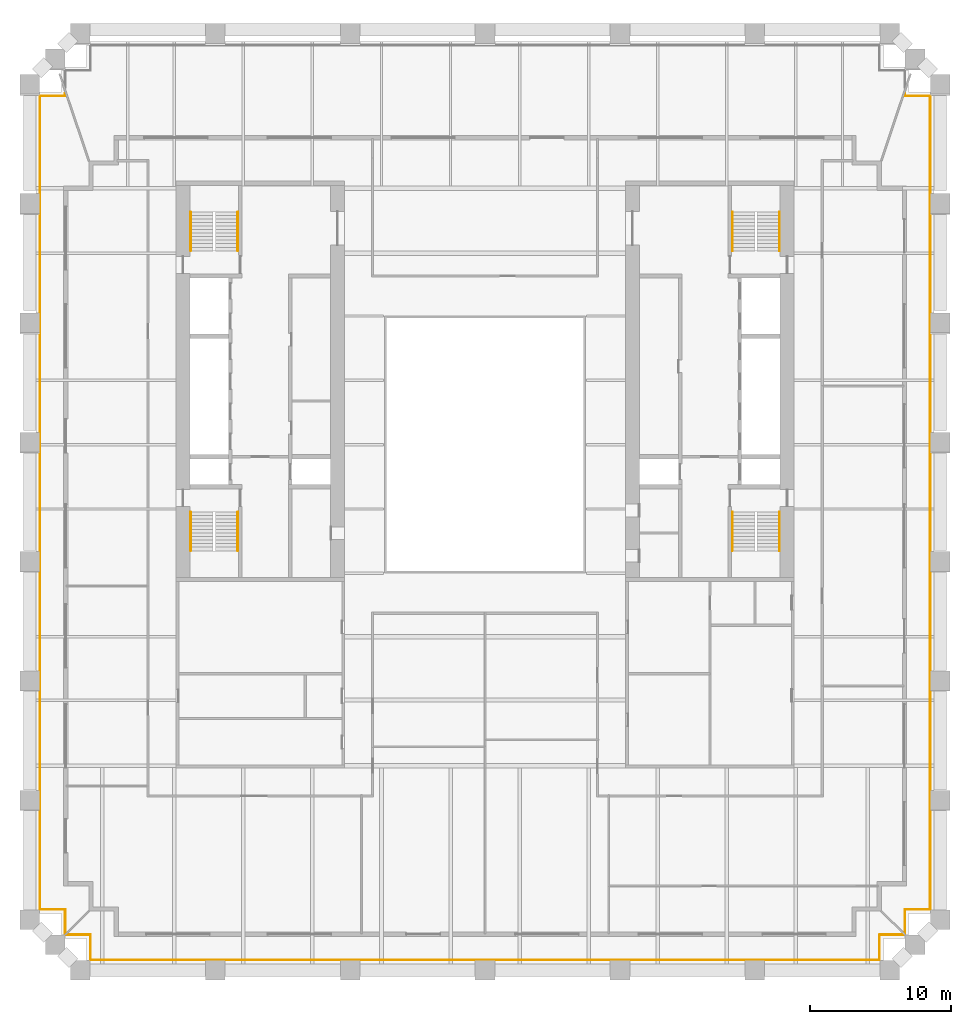
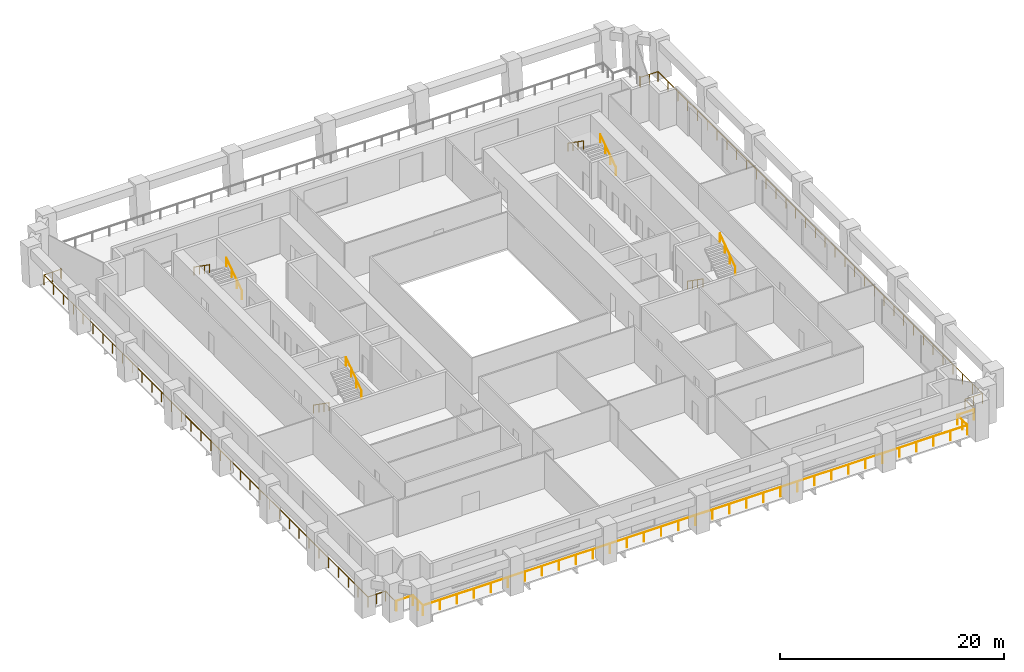
# One storey, part 8 of 9: 11 railings.
"""IFC4 building model written with IfcOpenShell, lengths in metres."""

from ifc_helpers import new_model, si_unit, direction, frame, origin, origin_2d, place, context, subcontext, project, spatial, circle, extrude, material, type_object, element, save


model = new_model("IFC4")

# Units and contexts
model_context = context("Model", 3, precision=1e-05, world=origin(), true_north=direction((0.0, 1.0)))
body_context = subcontext(model_context, "Body", "Model", "MODEL_VIEW")
ifc_project = project(units=[si_unit("LENGTHUNIT", "METRE"), si_unit("AREAUNIT", "SQUARE_METRE"), si_unit("VOLUMEUNIT", "CUBIC_METRE"), si_unit("PLANEANGLEUNIT", "RADIAN"), si_unit("MASSUNIT", "GRAM", prefix="KILO")], contexts=[model_context])

# Site, building, storey
site_placement = place(None, origin())
site = spatial("IfcSite", under=ifc_project, at=site_placement, CompositionType="ELEMENT")
building_placement = place(site_placement, origin())
building = spatial("IfcBuilding", under=site, at=building_placement, Name="Ogive Exchange Tower", CompositionType="ELEMENT")
storey_placement = place(building_placement, frame((0.0, 0.0, 85.800048828125)))
storey = spatial("IfcBuildingStorey", under=building, at=storey_placement, Name="L18", CompositionType="ELEMENT", Elevation=85.800048828125)

# Railings
ifc_material_1 = material(Name="Stainless steel 316", Category="steel")
railing_type_1 = type_object("IfcRailingType", Name="Guard 1100 stainless steel and glass", PredefinedType="GUARDRAIL", material=ifc_material_1)
railing_1_placement = place(storey_placement, frame((29.7880859375, -27.8798828125, -0.050048828125)))
element("IfcRailing", 1, at=railing_1_placement, inside=storey, type_object=railing_type_1, Name="Loggia guard 1", PredefinedType="GUARDRAIL", context=body_context, shape_type="SweptSolid", body=[
    extrude(circle(Radius=0.02392578125, at=origin_2d()), frame((0.0, 0.0, 1.076171875), z_axis=(-1.0, 0.0, 0.0), x_axis=(0.0, -1.0, 0.0)), (0.0, 0.0, 1.0), 1.7080078125),
    extrude(circle(Radius=0.02392578125, at=origin_2d()), frame((-1.7080078125, 0.0, 1.076171875), z_axis=(0.0, -1.0, 0.0), x_axis=(1.0, 0.0, 0.0)), (0.0, 0.0, 1.0), 1.800048828125),
    extrude(circle(Radius=0.02392578125, at=origin_2d()), frame((-1.7080078125, -1.800048828125, 1.076171875), z_axis=(-1.0, 0.0, 0.0), x_axis=(0.0, -1.0, 0.0)), (0.0, 0.0, 1.0), 56.16015625),
    extrude(circle(Radius=0.02392578125, at=origin_2d()), frame((-57.8681640625, -1.800048828125, 1.076171875), z_axis=(0.0, 1.0, 0.0), x_axis=(-1.0, 0.0, 0.0)), (0.0, 0.0, 1.0), 1.800048828125),
    extrude(circle(Radius=0.02392578125, at=origin_2d()), frame((-57.8681640625, 0.0, 1.076171875), z_axis=(-1.0, 0.0, 0.0), x_axis=(0.0, -1.0, 0.0)), (0.0, 0.0, 1.0), 1.7080078125),
    extrude(circle(Radius=0.02099609375, at=origin_2d()), origin(), (0.0, 0.0, 1.0), 1.052001953125),
    extrude(circle(Radius=0.02099609375, at=origin_2d()), frame((-1.7080078125, 0.0, 0.0)), (0.0, 0.0, 1.0), 1.052001953125),
    extrude(circle(Radius=0.02099609375, at=origin_2d()), frame((-1.7080078125, -0.89990234375, 0.0)), (0.0, 0.0, 1.0), 1.052001953125),
    extrude(circle(Radius=0.02099609375, at=origin_2d()), frame((-1.7080078125, -1.800048828125, 0.0)), (0.0, 0.0, 1.0), 1.052001953125),
    extrude(circle(Radius=0.02099609375, at=origin_2d()), frame((-3.462890625, -1.800048828125, 0.0)), (0.0, 0.0, 1.0), 1.052001953125),
    extrude(circle(Radius=0.02099609375, at=origin_2d()), frame((-5.218017578125, -1.800048828125, 0.0)), (0.0, 0.0, 1.0), 1.052001953125),
    extrude(circle(Radius=0.02099609375, at=origin_2d()), frame((-6.97314453125, -1.800048828125, 0.0)), (0.0, 0.0, 1.0), 1.052001953125),
    extrude(circle(Radius=0.02099609375, at=origin_2d()), frame((-8.72802734375, -1.800048828125, 0.0)), (0.0, 0.0, 1.0), 1.052001953125),
    extrude(circle(Radius=0.02099609375, at=origin_2d()), frame((-10.48291015625, -1.800048828125, 0.0)), (0.0, 0.0, 1.0), 1.052001953125),
    extrude(circle(Radius=0.02099609375, at=origin_2d()), frame((-12.238037109375, -1.800048828125, 0.0)), (0.0, 0.0, 1.0), 1.052001953125),
    extrude(circle(Radius=0.02099609375, at=origin_2d()), frame((-13.9931640625, -1.800048828125, 0.0)), (0.0, 0.0, 1.0), 1.052001953125),
    extrude(circle(Radius=0.02099609375, at=origin_2d()), frame((-15.748046875, -1.800048828125, 0.0)), (0.0, 0.0, 1.0), 1.052001953125),
    extrude(circle(Radius=0.02099609375, at=origin_2d()), frame((-17.5029296875, -1.800048828125, 0.0)), (0.0, 0.0, 1.0), 1.052001953125),
    extrude(circle(Radius=0.02099609375, at=origin_2d()), frame((-19.258056640625, -1.800048828125, 0.0)), (0.0, 0.0, 1.0), 1.052001953125),
    extrude(circle(Radius=0.02099609375, at=origin_2d()), frame((-21.01318359375, -1.800048828125, 0.0)), (0.0, 0.0, 1.0), 1.052001953125),
    extrude(circle(Radius=0.02099609375, at=origin_2d()), frame((-22.76806640625, -1.800048828125, 0.0)), (0.0, 0.0, 1.0), 1.052001953125),
    extrude(circle(Radius=0.02099609375, at=origin_2d()), frame((-24.52294921875, -1.800048828125, 0.0)), (0.0, 0.0, 1.0), 1.052001953125),
    extrude(circle(Radius=0.02099609375, at=origin_2d()), frame((-26.278076171875, -1.800048828125, 0.0)), (0.0, 0.0, 1.0), 1.052001953125),
    extrude(circle(Radius=0.02099609375, at=origin_2d()), frame((-28.033203125, -1.800048828125, 0.0)), (0.0, 0.0, 1.0), 1.052001953125),
    extrude(circle(Radius=0.02099609375, at=origin_2d()), frame((-29.7880859375, -1.800048828125, 0.0)), (0.0, 0.0, 1.0), 1.052001953125),
    extrude(circle(Radius=0.02099609375, at=origin_2d()), frame((-31.54296875, -1.800048828125, 0.0)), (0.0, 0.0, 1.0), 1.052001953125),
    extrude(circle(Radius=0.02099609375, at=origin_2d()), frame((-33.298095703125, -1.800048828125, 0.0)), (0.0, 0.0, 1.0), 1.052001953125),
    extrude(circle(Radius=0.02099609375, at=origin_2d()), frame((-35.05322265625, -1.800048828125, 0.0)), (0.0, 0.0, 1.0), 1.052001953125),
    extrude(circle(Radius=0.02099609375, at=origin_2d()), frame((-36.80810546875, -1.800048828125, 0.0)), (0.0, 0.0, 1.0), 1.052001953125),
    extrude(circle(Radius=0.02099609375, at=origin_2d()), frame((-38.56298828125, -1.800048828125, 0.0)), (0.0, 0.0, 1.0), 1.052001953125),
    extrude(circle(Radius=0.02099609375, at=origin_2d()), frame((-40.318115234375, -1.800048828125, 0.0)), (0.0, 0.0, 1.0), 1.052001953125),
    extrude(circle(Radius=0.02099609375, at=origin_2d()), frame((-42.0732421875, -1.800048828125, 0.0)), (0.0, 0.0, 1.0), 1.052001953125),
    extrude(circle(Radius=0.02099609375, at=origin_2d()), frame((-43.828125, -1.800048828125, 0.0)), (0.0, 0.0, 1.0), 1.052001953125),
    extrude(circle(Radius=0.02099609375, at=origin_2d()), frame((-45.5830078125, -1.800048828125, 0.0)), (0.0, 0.0, 1.0), 1.052001953125),
    extrude(circle(Radius=0.02099609375, at=origin_2d()), frame((-47.338134765625, -1.800048828125, 0.0)), (0.0, 0.0, 1.0), 1.052001953125),
    extrude(circle(Radius=0.02099609375, at=origin_2d()), frame((-49.09326171875, -1.800048828125, 0.0)), (0.0, 0.0, 1.0), 1.052001953125),
    extrude(circle(Radius=0.02099609375, at=origin_2d()), frame((-50.84814453125, -1.800048828125, 0.0)), (0.0, 0.0, 1.0), 1.052001953125),
    extrude(circle(Radius=0.02099609375, at=origin_2d()), frame((-52.60302734375, -1.800048828125, 0.0)), (0.0, 0.0, 1.0), 1.052001953125),
    extrude(circle(Radius=0.02099609375, at=origin_2d()), frame((-54.358154296875, -1.800048828125, 0.0)), (0.0, 0.0, 1.0), 1.052001953125),
    extrude(circle(Radius=0.02099609375, at=origin_2d()), frame((-56.11328125, -1.800048828125, 0.0)), (0.0, 0.0, 1.0), 1.052001953125),
    extrude(circle(Radius=0.02099609375, at=origin_2d()), frame((-57.8681640625, -1.800048828125, 0.0)), (0.0, 0.0, 1.0), 1.052001953125),
    extrude(circle(Radius=0.02099609375, at=origin_2d()), frame((-57.8681640625, -0.89990234375, 0.0)), (0.0, 0.0, 1.0), 1.052001953125),
    extrude(circle(Radius=0.02099609375, at=origin_2d()), frame((-57.8681640625, 0.0, 0.0)), (0.0, 0.0, 1.0), 1.052001953125),
    extrude(circle(Radius=0.02099609375, at=origin_2d()), frame((-59.576171875, 0.0, 0.0)), (0.0, 0.0, 1.0), 1.052001953125),
])
railing_2_placement = place(storey_placement, frame((-29.8798828125, -27.7880859375, -0.050048828125)))
element("IfcRailing", 2, at=railing_2_placement, inside=storey, type_object=railing_type_1, Name="Loggia guard 2", PredefinedType="GUARDRAIL", context=body_context, shape_type="SweptSolid", body=[
    extrude(circle(Radius=0.02392578125, at=origin_2d()), frame((0.0, 0.0, 1.076171875), z_axis=(0.0, 1.0, 0.0), x_axis=(-1.0, 0.0, 0.0)), (0.0, 0.0, 1.0), 1.7080078125),
    extrude(circle(Radius=0.02392578125, at=origin_2d()), frame((0.0, 1.7080078125, 1.076171875), z_axis=(-1.0, 0.0, 0.0), x_axis=(0.0, -1.0, 0.0)), (0.0, 0.0, 1.0), 1.800048828125),
    extrude(circle(Radius=0.02392578125, at=origin_2d()), frame((-1.800048828125, 1.7080078125, 1.076171875), z_axis=(0.0, 1.0, 0.0), x_axis=(-1.0, 0.0, 0.0)), (0.0, 0.0, 1.0), 57.905517578125),
    extrude(circle(Radius=0.02392578125, at=origin_2d()), frame((-1.800048828125, 59.613525390625, 1.076171875), z_axis=(1.0, 0.0, 0.0), x_axis=(0.0, 1.0, 0.0)), (0.0, 0.0, 1.0), 1.800048828125),
    extrude(circle(Radius=0.02392578125, at=origin_2d()), frame((0.0, 59.613525390625, 1.076171875), z_axis=(0.0, 1.0, 0.0), x_axis=(-1.0, 0.0, 0.0)), (0.0, 0.0, 1.0), 0.17236328125),
    extrude(circle(Radius=0.02099609375, at=origin_2d()), origin(), (0.0, 0.0, 1.0), 1.052001953125),
    extrude(circle(Radius=0.02099609375, at=origin_2d()), frame((0.0, 1.7080078125, 0.0)), (0.0, 0.0, 1.0), 1.052001953125),
    extrude(circle(Radius=0.02099609375, at=origin_2d()), frame((-0.89990234375, 1.7080078125, 0.0)), (0.0, 0.0, 1.0), 1.052001953125),
    extrude(circle(Radius=0.02099609375, at=origin_2d()), frame((-1.800048828125, 1.7080078125, 0.0)), (0.0, 0.0, 1.0), 1.052001953125),
    extrude(circle(Radius=0.02099609375, at=origin_2d()), frame((-1.800048828125, 3.462646484375, 0.0)), (0.0, 0.0, 1.0), 1.052001953125),
    extrude(circle(Radius=0.02099609375, at=origin_2d()), frame((-1.800048828125, 5.217529296875, 0.0)), (0.0, 0.0, 1.0), 1.052001953125),
    extrude(circle(Radius=0.02099609375, at=origin_2d()), frame((-1.800048828125, 6.97216796875, 0.0)), (0.0, 0.0, 1.0), 1.052001953125),
    extrude(circle(Radius=0.02099609375, at=origin_2d()), frame((-1.800048828125, 8.726806640625, 0.0)), (0.0, 0.0, 1.0), 1.052001953125),
    extrude(circle(Radius=0.02099609375, at=origin_2d()), frame((-1.800048828125, 10.481689453125, 0.0)), (0.0, 0.0, 1.0), 1.052001953125),
    extrude(circle(Radius=0.02099609375, at=origin_2d()), frame((-1.800048828125, 12.236328125, 0.0)), (0.0, 0.0, 1.0), 1.052001953125),
    extrude(circle(Radius=0.02099609375, at=origin_2d()), frame((-1.800048828125, 13.990966796875, 0.0)), (0.0, 0.0, 1.0), 1.052001953125),
    extrude(circle(Radius=0.02099609375, at=origin_2d()), frame((-1.800048828125, 15.74560546875, 0.0)), (0.0, 0.0, 1.0), 1.052001953125),
    extrude(circle(Radius=0.02099609375, at=origin_2d()), frame((-1.800048828125, 17.50048828125, 0.0)), (0.0, 0.0, 1.0), 1.052001953125),
    extrude(circle(Radius=0.02099609375, at=origin_2d()), frame((-1.800048828125, 19.255126953125, 0.0)), (0.0, 0.0, 1.0), 1.052001953125),
    extrude(circle(Radius=0.02099609375, at=origin_2d()), frame((-1.800048828125, 21.009765625, 0.0)), (0.0, 0.0, 1.0), 1.052001953125),
    extrude(circle(Radius=0.02099609375, at=origin_2d()), frame((-1.800048828125, 22.7646484375, 0.0)), (0.0, 0.0, 1.0), 1.052001953125),
    extrude(circle(Radius=0.02099609375, at=origin_2d()), frame((-1.800048828125, 24.519287109375, 0.0)), (0.0, 0.0, 1.0), 1.052001953125),
    extrude(circle(Radius=0.02099609375, at=origin_2d()), frame((-1.800048828125, 26.27392578125, 0.0)), (0.0, 0.0, 1.0), 1.052001953125),
    extrude(circle(Radius=0.02099609375, at=origin_2d()), frame((-1.800048828125, 28.02880859375, 0.0)), (0.0, 0.0, 1.0), 1.052001953125),
    extrude(circle(Radius=0.02099609375, at=origin_2d()), frame((-1.800048828125, 29.783447265625, 0.0)), (0.0, 0.0, 1.0), 1.052001953125),
    extrude(circle(Radius=0.02099609375, at=origin_2d()), frame((-1.800048828125, 31.5380859375, 0.0)), (0.0, 0.0, 1.0), 1.052001953125),
    extrude(circle(Radius=0.02099609375, at=origin_2d()), frame((-1.800048828125, 33.292724609375, 0.0)), (0.0, 0.0, 1.0), 1.052001953125),
    extrude(circle(Radius=0.02099609375, at=origin_2d()), frame((-1.800048828125, 35.047607421875, 0.0)), (0.0, 0.0, 1.0), 1.052001953125),
    extrude(circle(Radius=0.02099609375, at=origin_2d()), frame((-1.800048828125, 36.80224609375, 0.0)), (0.0, 0.0, 1.0), 1.052001953125),
    extrude(circle(Radius=0.02099609375, at=origin_2d()), frame((-1.800048828125, 38.556884765625, 0.0)), (0.0, 0.0, 1.0), 1.052001953125),
    extrude(circle(Radius=0.02099609375, at=origin_2d()), frame((-1.800048828125, 40.311767578125, 0.0)), (0.0, 0.0, 1.0), 1.052001953125),
    extrude(circle(Radius=0.02099609375, at=origin_2d()), frame((-1.800048828125, 42.06640625, 0.0)), (0.0, 0.0, 1.0), 1.052001953125),
    extrude(circle(Radius=0.02099609375, at=origin_2d()), frame((-1.800048828125, 43.821044921875, 0.0)), (0.0, 0.0, 1.0), 1.052001953125),
    extrude(circle(Radius=0.02099609375, at=origin_2d()), frame((-1.800048828125, 45.575927734375, 0.0)), (0.0, 0.0, 1.0), 1.052001953125),
    extrude(circle(Radius=0.02099609375, at=origin_2d()), frame((-1.800048828125, 47.33056640625, 0.0)), (0.0, 0.0, 1.0), 1.052001953125),
    extrude(circle(Radius=0.02099609375, at=origin_2d()), frame((-1.800048828125, 49.085205078125, 0.0)), (0.0, 0.0, 1.0), 1.052001953125),
    extrude(circle(Radius=0.02099609375, at=origin_2d()), frame((-1.800048828125, 50.83984375, 0.0)), (0.0, 0.0, 1.0), 1.052001953125),
    extrude(circle(Radius=0.02099609375, at=origin_2d()), frame((-1.800048828125, 52.5947265625, 0.0)), (0.0, 0.0, 1.0), 1.052001953125),
    extrude(circle(Radius=0.02099609375, at=origin_2d()), frame((-1.800048828125, 54.349365234375, 0.0)), (0.0, 0.0, 1.0), 1.052001953125),
    extrude(circle(Radius=0.02099609375, at=origin_2d()), frame((-1.800048828125, 56.10400390625, 0.0)), (0.0, 0.0, 1.0), 1.052001953125),
    extrude(circle(Radius=0.02099609375, at=origin_2d()), frame((-1.800048828125, 57.85888671875, 0.0)), (0.0, 0.0, 1.0), 1.052001953125),
    extrude(circle(Radius=0.02099609375, at=origin_2d()), frame((-1.800048828125, 59.613525390625, 0.0)), (0.0, 0.0, 1.0), 1.052001953125),
    extrude(circle(Radius=0.02099609375, at=origin_2d()), frame((-0.89990234375, 59.613525390625, 0.0)), (0.0, 0.0, 1.0), 1.052001953125),
    extrude(circle(Radius=0.02099609375, at=origin_2d()), frame((0.0, 59.613525390625, 0.0)), (0.0, 0.0, 1.0), 1.052001953125),
    extrude(circle(Radius=0.02099609375, at=origin_2d()), frame((0.0, 59.785888671875, 0.0)), (0.0, 0.0, 1.0), 1.052001953125),
])
railing_3_placement = place(storey_placement, frame((29.8798828125, 31.997802734375, -0.050048828125)))
element("IfcRailing", 3, at=railing_3_placement, inside=storey, type_object=railing_type_1, Name="Loggia guard 4", PredefinedType="GUARDRAIL", context=body_context, shape_type="SweptSolid", body=[
    extrude(circle(Radius=0.02392578125, at=origin_2d()), frame((0.0, 0.0, 1.076171875), z_axis=(0.0, -1.0, 0.0), x_axis=(1.0, 0.0, 0.0)), (0.0, 0.0, 1.0), 0.17236328125),
    extrude(circle(Radius=0.02392578125, at=origin_2d()), frame((0.0, -0.17236328125, 1.076171875), z_axis=(1.0, 0.0, 0.0), x_axis=(0.0, 1.0, 0.0)), (0.0, 0.0, 1.0), 1.800048828125),
    extrude(circle(Radius=0.02392578125, at=origin_2d()), frame((1.800048828125, -0.17236328125, 1.076171875), z_axis=(0.0, -1.0, 0.0), x_axis=(1.0, 0.0, 0.0)), (0.0, 0.0, 1.0), 57.905517578125),
    extrude(circle(Radius=0.02392578125, at=origin_2d()), frame((1.800048828125, -58.077880859375, 1.076171875), z_axis=(-1.0, 0.0, 0.0), x_axis=(0.0, -1.0, 0.0)), (0.0, 0.0, 1.0), 1.800048828125),
    extrude(circle(Radius=0.02392578125, at=origin_2d()), frame((0.0, -58.077880859375, 1.076171875), z_axis=(0.0, -1.0, 0.0), x_axis=(1.0, 0.0, 0.0)), (0.0, 0.0, 1.0), 1.7080078125),
    extrude(circle(Radius=0.02099609375, at=origin_2d()), origin(), (0.0, 0.0, 1.0), 1.052001953125),
    extrude(circle(Radius=0.02099609375, at=origin_2d()), frame((0.0, -0.17236328125, 0.0)), (0.0, 0.0, 1.0), 1.052001953125),
    extrude(circle(Radius=0.02099609375, at=origin_2d()), frame((0.89990234375, -0.17236328125, 0.0)), (0.0, 0.0, 1.0), 1.052001953125),
    extrude(circle(Radius=0.02099609375, at=origin_2d()), frame((1.800048828125, -0.17236328125, 0.0)), (0.0, 0.0, 1.0), 1.052001953125),
    extrude(circle(Radius=0.02099609375, at=origin_2d()), frame((1.800048828125, -1.927001953125, 0.0)), (0.0, 0.0, 1.0), 1.052001953125),
    extrude(circle(Radius=0.02099609375, at=origin_2d()), frame((1.800048828125, -3.681884765625, 0.0)), (0.0, 0.0, 1.0), 1.052001953125),
    extrude(circle(Radius=0.02099609375, at=origin_2d()), frame((1.800048828125, -5.4365234375, 0.0)), (0.0, 0.0, 1.0), 1.052001953125),
    extrude(circle(Radius=0.02099609375, at=origin_2d()), frame((1.800048828125, -7.191162109375, 0.0)), (0.0, 0.0, 1.0), 1.052001953125),
    extrude(circle(Radius=0.02099609375, at=origin_2d()), frame((1.800048828125, -8.946044921875, 0.0)), (0.0, 0.0, 1.0), 1.052001953125),
    extrude(circle(Radius=0.02099609375, at=origin_2d()), frame((1.800048828125, -10.70068359375, 0.0)), (0.0, 0.0, 1.0), 1.052001953125),
    extrude(circle(Radius=0.02099609375, at=origin_2d()), frame((1.800048828125, -12.455322265625, 0.0)), (0.0, 0.0, 1.0), 1.052001953125),
    extrude(circle(Radius=0.02099609375, at=origin_2d()), frame((1.800048828125, -14.2099609375, 0.0)), (0.0, 0.0, 1.0), 1.052001953125),
    extrude(circle(Radius=0.02099609375, at=origin_2d()), frame((1.800048828125, -15.96484375, 0.0)), (0.0, 0.0, 1.0), 1.052001953125),
    extrude(circle(Radius=0.02099609375, at=origin_2d()), frame((1.800048828125, -17.719482421875, 0.0)), (0.0, 0.0, 1.0), 1.052001953125),
    extrude(circle(Radius=0.02099609375, at=origin_2d()), frame((1.800048828125, -19.47412109375, 0.0)), (0.0, 0.0, 1.0), 1.052001953125),
    extrude(circle(Radius=0.02099609375, at=origin_2d()), frame((1.800048828125, -21.22900390625, 0.0)), (0.0, 0.0, 1.0), 1.052001953125),
    extrude(circle(Radius=0.02099609375, at=origin_2d()), frame((1.800048828125, -22.983642578125, 0.0)), (0.0, 0.0, 1.0), 1.052001953125),
    extrude(circle(Radius=0.02099609375, at=origin_2d()), frame((1.800048828125, -24.73828125, 0.0)), (0.0, 0.0, 1.0), 1.052001953125),
    extrude(circle(Radius=0.02099609375, at=origin_2d()), frame((1.800048828125, -26.4931640625, 0.0)), (0.0, 0.0, 1.0), 1.052001953125),
    extrude(circle(Radius=0.02099609375, at=origin_2d()), frame((1.800048828125, -28.247802734375, 0.0)), (0.0, 0.0, 1.0), 1.052001953125),
    extrude(circle(Radius=0.02099609375, at=origin_2d()), frame((1.800048828125, -30.00244140625, 0.0)), (0.0, 0.0, 1.0), 1.052001953125),
    extrude(circle(Radius=0.02099609375, at=origin_2d()), frame((1.800048828125, -31.757080078125, 0.0)), (0.0, 0.0, 1.0), 1.052001953125),
    extrude(circle(Radius=0.02099609375, at=origin_2d()), frame((1.800048828125, -33.511962890625, 0.0)), (0.0, 0.0, 1.0), 1.052001953125),
    extrude(circle(Radius=0.02099609375, at=origin_2d()), frame((1.800048828125, -35.2666015625, 0.0)), (0.0, 0.0, 1.0), 1.052001953125),
    extrude(circle(Radius=0.02099609375, at=origin_2d()), frame((1.800048828125, -37.021240234375, 0.0)), (0.0, 0.0, 1.0), 1.052001953125),
    extrude(circle(Radius=0.02099609375, at=origin_2d()), frame((1.800048828125, -38.776123046875, 0.0)), (0.0, 0.0, 1.0), 1.052001953125),
    extrude(circle(Radius=0.02099609375, at=origin_2d()), frame((1.800048828125, -40.53076171875, 0.0)), (0.0, 0.0, 1.0), 1.052001953125),
    extrude(circle(Radius=0.02099609375, at=origin_2d()), frame((1.800048828125, -42.285400390625, 0.0)), (0.0, 0.0, 1.0), 1.052001953125),
    extrude(circle(Radius=0.02099609375, at=origin_2d()), frame((1.800048828125, -44.040283203125, 0.0)), (0.0, 0.0, 1.0), 1.052001953125),
    extrude(circle(Radius=0.02099609375, at=origin_2d()), frame((1.800048828125, -45.794921875, 0.0)), (0.0, 0.0, 1.0), 1.052001953125),
    extrude(circle(Radius=0.02099609375, at=origin_2d()), frame((1.800048828125, -47.549560546875, 0.0)), (0.0, 0.0, 1.0), 1.052001953125),
    extrude(circle(Radius=0.02099609375, at=origin_2d()), frame((1.800048828125, -49.30419921875, 0.0)), (0.0, 0.0, 1.0), 1.052001953125),
    extrude(circle(Radius=0.02099609375, at=origin_2d()), frame((1.800048828125, -51.05908203125, 0.0)), (0.0, 0.0, 1.0), 1.052001953125),
    extrude(circle(Radius=0.02099609375, at=origin_2d()), frame((1.800048828125, -52.813720703125, 0.0)), (0.0, 0.0, 1.0), 1.052001953125),
    extrude(circle(Radius=0.02099609375, at=origin_2d()), frame((1.800048828125, -54.568359375, 0.0)), (0.0, 0.0, 1.0), 1.052001953125),
    extrude(circle(Radius=0.02099609375, at=origin_2d()), frame((1.800048828125, -56.3232421875, 0.0)), (0.0, 0.0, 1.0), 1.052001953125),
    extrude(circle(Radius=0.02099609375, at=origin_2d()), frame((1.800048828125, -58.077880859375, 0.0)), (0.0, 0.0, 1.0), 1.052001953125),
    extrude(circle(Radius=0.02099609375, at=origin_2d()), frame((0.89990234375, -58.077880859375, 0.0)), (0.0, 0.0, 1.0), 1.052001953125),
    extrude(circle(Radius=0.02099609375, at=origin_2d()), frame((0.0, -58.077880859375, 0.0)), (0.0, 0.0, 1.0), 1.052001953125),
    extrude(circle(Radius=0.02099609375, at=origin_2d()), frame((0.0, -59.785888671875, 0.0)), (0.0, 0.0, 1.0), 1.052001953125),
])
ifc_material_2 = material(Name="Stainless steel", Category="steel")
railing_type_2 = type_object("IfcRailingType", Name="Stair handrail 900", PredefinedType="HANDRAIL", material=ifc_material_2)
railing_4_placement = place(storey_placement, frame((-20.949951171875, 2.199951171875, 0.175048828125)))
element("IfcRailing", 4, at=railing_4_placement, inside=storey, type_object=railing_type_2, Name="L18 ST1 stair handrail 1", PredefinedType="HANDRAIL", context=body_context, shape_type="SweptSolid", body=[
    extrude(circle(Radius=0.02392578125, at=origin_2d()), frame((0.0, 0.0, 0.8759765625), z_axis=(0.0, -0.819259255306, 0.573423292687), x_axis=(1.0, 0.0, 0.0)), (0.0, 0.0, 1.0), 3.356689453125),
    extrude(circle(Radius=0.02099609375, at=origin_2d()), origin(), (0.0, 0.0, 1.0), 0.851806640625),
    extrude(circle(Radius=0.02099609375, at=origin_2d()), frame((0.0, -0.916748046875, 0.6416015625)), (0.0, 0.0, 1.0), 0.851806640625),
    extrude(circle(Radius=0.02099609375, at=origin_2d()), frame((0.0, -1.833251953125, 1.283203125)), (0.0, 0.0, 1.0), 0.851806640625),
    extrude(circle(Radius=0.02099609375, at=origin_2d()), frame((0.0, -2.75, 1.9248046875)), (0.0, 0.0, 1.0), 0.851806640625),
])
railing_5_placement = place(storey_placement, frame((-17.60009765625, -0.550048828125, 2.27490234375)))
element("IfcRailing", 5, at=railing_5_placement, inside=storey, type_object=railing_type_2, Name="L18 ST1 stair handrail 2", PredefinedType="HANDRAIL", context=body_context, shape_type="SweptSolid", body=[
    extrude(circle(Radius=0.02392578125, at=origin_2d()), frame((0.0, 0.0, 0.8759765625), z_axis=(0.0, 0.819225086817, 0.573472106672), x_axis=(-1.0, 0.0, 0.0)), (0.0, 0.0, 1.0), 3.35693359375),
    extrude(circle(Radius=0.02099609375, at=origin_2d()), origin(), (0.0, 0.0, 1.0), 0.851806640625),
    extrude(circle(Radius=0.02099609375, at=origin_2d()), frame((0.0, 0.916748046875, 0.6416015625)), (0.0, 0.0, 1.0), 0.851806640625),
    extrude(circle(Radius=0.02099609375, at=origin_2d()), frame((0.0, 1.833251953125, 1.283447265625)), (0.0, 0.0, 1.0), 0.851806640625),
    extrude(circle(Radius=0.02099609375, at=origin_2d()), frame((0.0, 2.75, 1.925048828125)), (0.0, 0.0, 1.0), 0.851806640625),
])
railing_6_placement = place(storey_placement, frame((-17.60009765625, 20.800048828125, 0.175048828125)))
element("IfcRailing", 6, at=railing_6_placement, inside=storey, type_object=railing_type_2, Name="L18 ST2 stair handrail 1", PredefinedType="HANDRAIL", context=body_context, shape_type="SweptSolid", body=[
    extrude(circle(Radius=0.02392578125, at=origin_2d()), frame((0.0, 0.0, 0.8759765625), z_axis=(0.0, 0.819259255306, 0.573423292687), x_axis=(-1.0, 0.0, 0.0)), (0.0, 0.0, 1.0), 3.356689453125),
    extrude(circle(Radius=0.02099609375, at=origin_2d()), origin(), (0.0, 0.0, 1.0), 0.851806640625),
    extrude(circle(Radius=0.02099609375, at=origin_2d()), frame((0.0, 0.916748046875, 0.6416015625)), (0.0, 0.0, 1.0), 0.851806640625),
    extrude(circle(Radius=0.02099609375, at=origin_2d()), frame((0.0, 1.833251953125, 1.283203125)), (0.0, 0.0, 1.0), 0.851806640625),
    extrude(circle(Radius=0.02099609375, at=origin_2d()), frame((0.0, 2.75, 1.9248046875)), (0.0, 0.0, 1.0), 0.851806640625),
])
railing_7_placement = place(storey_placement, frame((-20.949951171875, 23.550048828125, 2.27490234375)))
element("IfcRailing", 7, at=railing_7_placement, inside=storey, type_object=railing_type_2, Name="L18 ST2 stair handrail 2", PredefinedType="HANDRAIL", context=body_context, shape_type="SweptSolid", body=[
    extrude(circle(Radius=0.02392578125, at=origin_2d()), frame((0.0, 0.0, 0.8759765625), z_axis=(0.0, -0.819225086817, 0.573472106672), x_axis=(1.0, 0.0, 0.0)), (0.0, 0.0, 1.0), 3.35693359375),
    extrude(circle(Radius=0.02099609375, at=origin_2d()), origin(), (0.0, 0.0, 1.0), 0.851806640625),
    extrude(circle(Radius=0.02099609375, at=origin_2d()), frame((0.0, -0.916748046875, 0.6416015625)), (0.0, 0.0, 1.0), 0.851806640625),
    extrude(circle(Radius=0.02099609375, at=origin_2d()), frame((0.0, -1.833251953125, 1.283447265625)), (0.0, 0.0, 1.0), 0.851806640625),
    extrude(circle(Radius=0.02099609375, at=origin_2d()), frame((0.0, -2.75, 1.925048828125)), (0.0, 0.0, 1.0), 0.851806640625),
])
railing_8_placement = place(storey_placement, frame((17.60009765625, 2.199951171875, 0.175048828125)))
element("IfcRailing", 8, at=railing_8_placement, inside=storey, type_object=railing_type_2, Name="L18 ST3 stair handrail 1", PredefinedType="HANDRAIL", context=body_context, shape_type="SweptSolid", body=[
    extrude(circle(Radius=0.02392578125, at=origin_2d()), frame((0.0, 0.0, 0.8759765625), z_axis=(0.0, -0.819259255306, 0.573423292687), x_axis=(1.0, 0.0, 0.0)), (0.0, 0.0, 1.0), 3.356689453125),
    extrude(circle(Radius=0.02099609375, at=origin_2d()), origin(), (0.0, 0.0, 1.0), 0.851806640625),
    extrude(circle(Radius=0.02099609375, at=origin_2d()), frame((0.0, -0.916748046875, 0.6416015625)), (0.0, 0.0, 1.0), 0.851806640625),
    extrude(circle(Radius=0.02099609375, at=origin_2d()), frame((0.0, -1.833251953125, 1.283203125)), (0.0, 0.0, 1.0), 0.851806640625),
    extrude(circle(Radius=0.02099609375, at=origin_2d()), frame((0.0, -2.75, 1.9248046875)), (0.0, 0.0, 1.0), 0.851806640625),
])
railing_9_placement = place(storey_placement, frame((20.949951171875, -0.550048828125, 2.27490234375)))
element("IfcRailing", 9, at=railing_9_placement, inside=storey, type_object=railing_type_2, Name="L18 ST3 stair handrail 2", PredefinedType="HANDRAIL", context=body_context, shape_type="SweptSolid", body=[
    extrude(circle(Radius=0.02392578125, at=origin_2d()), frame((0.0, 0.0, 0.8759765625), z_axis=(0.0, 0.819225086817, 0.573472106672), x_axis=(-1.0, 0.0, 0.0)), (0.0, 0.0, 1.0), 3.35693359375),
    extrude(circle(Radius=0.02099609375, at=origin_2d()), origin(), (0.0, 0.0, 1.0), 0.851806640625),
    extrude(circle(Radius=0.02099609375, at=origin_2d()), frame((0.0, 0.916748046875, 0.6416015625)), (0.0, 0.0, 1.0), 0.851806640625),
    extrude(circle(Radius=0.02099609375, at=origin_2d()), frame((0.0, 1.833251953125, 1.283447265625)), (0.0, 0.0, 1.0), 0.851806640625),
    extrude(circle(Radius=0.02099609375, at=origin_2d()), frame((0.0, 2.75, 1.925048828125)), (0.0, 0.0, 1.0), 0.851806640625),
])
railing_10_placement = place(storey_placement, frame((20.949951171875, 20.800048828125, 0.175048828125)))
element("IfcRailing", 10, at=railing_10_placement, inside=storey, type_object=railing_type_2, Name="L18 ST4 stair handrail 1", PredefinedType="HANDRAIL", context=body_context, shape_type="SweptSolid", body=[
    extrude(circle(Radius=0.02392578125, at=origin_2d()), frame((0.0, 0.0, 0.8759765625), z_axis=(0.0, 0.819259255306, 0.573423292687), x_axis=(-1.0, 0.0, 0.0)), (0.0, 0.0, 1.0), 3.356689453125),
    extrude(circle(Radius=0.02099609375, at=origin_2d()), origin(), (0.0, 0.0, 1.0), 0.851806640625),
    extrude(circle(Radius=0.02099609375, at=origin_2d()), frame((0.0, 0.916748046875, 0.6416015625)), (0.0, 0.0, 1.0), 0.851806640625),
    extrude(circle(Radius=0.02099609375, at=origin_2d()), frame((0.0, 1.833251953125, 1.283203125)), (0.0, 0.0, 1.0), 0.851806640625),
    extrude(circle(Radius=0.02099609375, at=origin_2d()), frame((0.0, 2.75, 1.9248046875)), (0.0, 0.0, 1.0), 0.851806640625),
])
railing_11_placement = place(storey_placement, frame((17.60009765625, 23.550048828125, 2.27490234375)))
element("IfcRailing", 11, at=railing_11_placement, inside=storey, type_object=railing_type_2, Name="L18 ST4 stair handrail 2", PredefinedType="HANDRAIL", context=body_context, shape_type="SweptSolid", body=[
    extrude(circle(Radius=0.02392578125, at=origin_2d()), frame((0.0, 0.0, 0.8759765625), z_axis=(0.0, -0.819225086817, 0.573472106672), x_axis=(1.0, 0.0, 0.0)), (0.0, 0.0, 1.0), 3.35693359375),
    extrude(circle(Radius=0.02099609375, at=origin_2d()), origin(), (0.0, 0.0, 1.0), 0.851806640625),
    extrude(circle(Radius=0.02099609375, at=origin_2d()), frame((0.0, -0.916748046875, 0.6416015625)), (0.0, 0.0, 1.0), 0.851806640625),
    extrude(circle(Radius=0.02099609375, at=origin_2d()), frame((0.0, -1.833251953125, 1.283447265625)), (0.0, 0.0, 1.0), 0.851806640625),
    extrude(circle(Radius=0.02099609375, at=origin_2d()), frame((0.0, -2.75, 1.925048828125)), (0.0, 0.0, 1.0), 0.851806640625),
])

save(model, "model.ifc")
